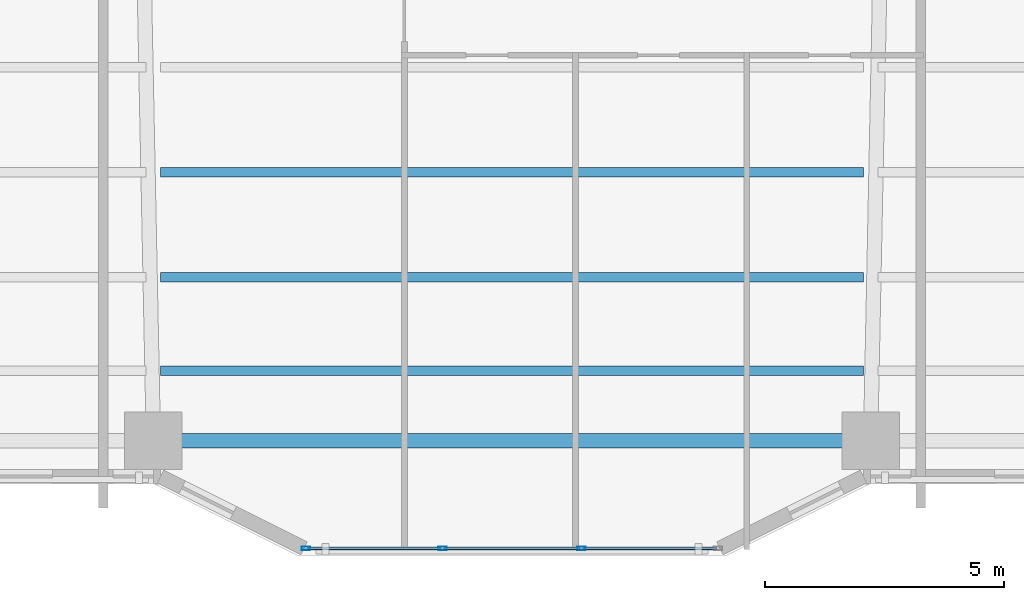
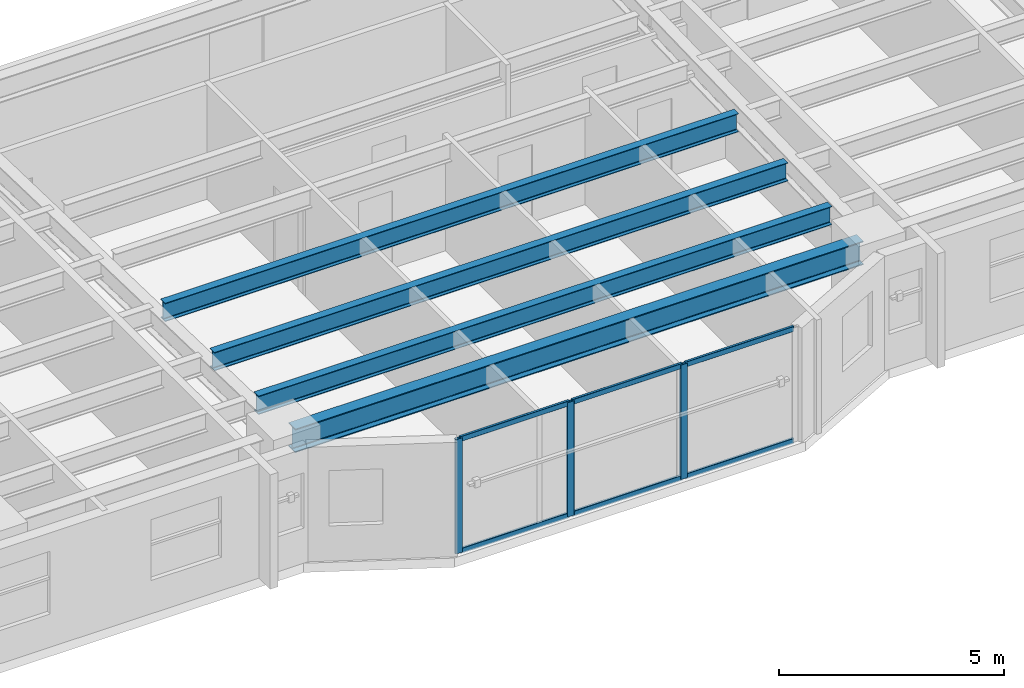
# One storey, part 2 of 19: 9 members, 4 beams, 1 element without a shape of its own.
"""IFC4 building model written with IfcOpenShell, lengths in metres."""

from ifc_helpers import new_model, si_unit, direction, frame, origin, origin_2d, place, context, subcontext, project, spatial, hollow_rectangle, i_section, extrude, material, layer, layer_set, material_profile, profile_set, type_object, element, aggregate, save


model = new_model("IFC4")

# Units and contexts
model_context = context("Model", 3, precision=1e-05, world=origin(), true_north=direction((0.0, 1.0)))
body_context = subcontext(model_context, "Body", "Model", "MODEL_VIEW")
ifc_project = project(units=[si_unit("LENGTHUNIT", "METRE"), si_unit("AREAUNIT", "SQUARE_METRE"), si_unit("VOLUMEUNIT", "CUBIC_METRE"), si_unit("PLANEANGLEUNIT", "RADIAN"), si_unit("MASSUNIT", "GRAM", prefix="KILO")], contexts=[model_context])

# Site, building, storey
site_placement = place(None, origin())
site = spatial("IfcSite", under=ifc_project, at=site_placement, CompositionType="ELEMENT")
building_placement = place(site_placement, origin())
building = spatial("IfcBuilding", under=site, at=building_placement, Name="Tarnavaz Court Tower", CompositionType="ELEMENT")
storey_placement = place(building_placement, frame((0.0, 0.0, 50.800048828125)))
storey = spatial("IfcBuildingStorey", under=building, at=storey_placement, Name="L13", CompositionType="ELEMENT", Elevation=50.800048828125)

# Beams
ifc_material_1 = material(Name="Steel S355", Category="steel")
ifc_material_profile_1 = material_profile(ifc_material_1, i_section(OverallWidth=0.199951171875, OverallDepth=0.5, WebThickness=0.01025390625, FlangeThickness=0.01611328125, FilletRadius=0.02099609375, at=origin_2d()), Name="IPE 500")
ifc_profile_set_1 = profile_set([ifc_material_profile_1], Name="Steel S355")
beam_type_1 = type_object("IfcBeamType", Name="BM-J-IPE500", PredefinedType="JOIST", material=ifc_profile_set_1)
for number, where, z_axis, x_axis, name in (
    (1, (-7.35009765625, -17.18798828125, 2.849853515625), (1.0, 0.0, 0.0), (0.0, 1.0, 0.0), "L13 Beam JS3-2"),
    (2, (-7.35009765625, -19.384033203125, 2.849853515625), (1.0, 0.0, 0.0), (0.0, 1.0, 0.0), "L13 Beam JS4-2"),
    (3, (-7.35009765625, -21.3359375, 2.849853515625), (1.0, 0.0, 0.0), (0.0, 1.0, 0.0), "L13 Beam JS5-2"),
):
    element("IfcBeam", number, at=place(storey_placement, frame(where, z_axis=z_axis, x_axis=x_axis)), inside=storey, type_object=beam_type_1, Name=name, PredefinedType="JOIST", context=body_context, shape_type="SweptSolid", body=[
        extrude(i_section(OverallWidth=0.199951171875, OverallDepth=0.5, WebThickness=0.01025390625, FlangeThickness=0.01611328125, FilletRadius=0.02099609375, at=origin_2d()), origin(), (0.0, 0.0, 1.0), 14.7001953125),
    ])
ifc_material_profile_2 = material_profile(ifc_material_1, i_section(OverallWidth=0.300048828125, OverallDepth=0.639892578125, WebThickness=0.013427734375, FlangeThickness=0.02587890625, FilletRadius=0.027099609375, at=origin_2d()), Name="HEA 650")
ifc_profile_set_2 = profile_set([ifc_material_profile_2], Name="Steel S355")
beam_type_2 = type_object("IfcBeamType", Name="BM-SP-HEA650", PredefinedType="SPANDREL", material=ifc_profile_set_2)
beam_placement = place(storey_placement, frame((-7.280029296875, -22.800048828125, 2.780029296875), z_axis=(1.0, 0.0, 0.0), x_axis=(0.0, 1.0, 0.0)))
element("IfcBeam", 4, at=beam_placement, inside=storey, type_object=beam_type_2, Name="L13 Beam PR-PS-2-PS-3", PredefinedType="SPANDREL", context=body_context, shape_type="SweptSolid", body=[
    extrude(i_section(OverallWidth=0.300048828125, OverallDepth=0.639892578125, WebThickness=0.013427734375, FlangeThickness=0.02587890625, FilletRadius=0.027099609375, at=origin_2d()), origin(), (0.0, 0.0, 1.0), 14.56005859375),
])

# Curtain wall, members
ifc_material_2 = material(Name="Anodised Aluminium 6063-T6 and Solar Low-E Glazing", Category="aluminium")
ifc_layer = layer(ifc_material_2, 0.179931640625)
ifc_layer_set = layer_set([ifc_layer], Name="Anodised Aluminium 6063-T6 and Solar Low-E Glazing")
curtain_wall_type = type_object("IfcCurtainWallType", Name="CW-SYS-02", PredefinedType="NOTDEFINED", material=ifc_layer_set)
curtain_wall_placement = place(storey_placement, origin())
curtain_wall = element("IfcCurtainWall", 5, at=curtain_wall_placement, inside=storey, type_object=curtain_wall_type, Name="L13 Iwan Prow Curtain Wall 17", PredefinedType="NOTDEFINED")
ifc_material_3 = material(Name="Anodised Aluminium 6063-T6", Category="aluminium")
ifc_material_profile_3 = material_profile(ifc_material_3, hollow_rectangle(XDim=0.074951171875, YDim=0.179931640625, WallThickness=0.0048828125, InnerFilletRadius=0.0048828125, OuterFilletRadius=0.010009765625, at=origin_2d()), Name="ALU RHS 180X75X5")
ifc_profile_set_3 = profile_set([ifc_material_profile_3], Name="Anodised Aluminium 6063-T6")
member_type_1 = type_object("IfcMemberType", Name="CW-MUL-180", PredefinedType="MULLION", material=ifc_profile_set_3)
member_1_placement = place(storey_placement, frame((1.449951171875, -25.050048828125, 0.0), z_axis=(0.0, 0.0, 1.0), x_axis=(0.0, -1.0, 0.0)))
member_1 = element("IfcMember", 6, at=member_1_placement, type_object=member_type_1, Name="CW mullion 2", PredefinedType="MULLION", context=body_context, shape_type="SweptSolid", body=[
    extrude(hollow_rectangle(XDim=0.074951171875, YDim=0.179931640625, WallThickness=0.0048828125, InnerFilletRadius=0.0048828125, OuterFilletRadius=0.010009765625, at=origin_2d()), origin(), (0.0, 0.0, 1.0), 3.099853515625),
])
member_2_placement = place(storey_placement, frame((-1.449951171875, -25.050048828125, 0.0), z_axis=(0.0, 0.0, 1.0), x_axis=(0.0, -1.0, 0.0)))
member_2 = element("IfcMember", 7, at=member_2_placement, type_object=member_type_1, Name="CW mullion 3", PredefinedType="MULLION", context=body_context, shape_type="SweptSolid", body=[
    extrude(hollow_rectangle(XDim=0.074951171875, YDim=0.179931640625, WallThickness=0.0048828125, InnerFilletRadius=0.0048828125, OuterFilletRadius=0.010009765625, at=origin_2d()), origin(), (0.0, 0.0, 1.0), 3.099853515625),
])
member_3_placement = place(storey_placement, frame((-4.3125, -25.050048828125, 0.0), z_axis=(0.0, 0.0, 1.0), x_axis=(0.0, -1.0, 0.0)))
member_3 = element("IfcMember", 8, at=member_3_placement, type_object=member_type_1, Name="CW mullion 4", PredefinedType="MULLION", context=body_context, shape_type="SweptSolid", body=[
    extrude(hollow_rectangle(XDim=0.074951171875, YDim=0.179931640625, WallThickness=0.0048828125, InnerFilletRadius=0.0048828125, OuterFilletRadius=0.010009765625, at=origin_2d()), origin(), (0.0, 0.0, 1.0), 3.099853515625),
])
ifc_material_profile_4 = material_profile(ifc_material_3, hollow_rectangle(XDim=0.06494140625, YDim=0.139892578125, WallThickness=0.00390625, InnerFilletRadius=0.00390625, OuterFilletRadius=0.008056640625, at=origin_2d()), Name="ALU RHS 140X65X4")
ifc_profile_set_4 = profile_set([ifc_material_profile_4], Name="Anodised Aluminium 6063-T6")
member_type_2 = type_object("IfcMemberType", Name="CW-TRN-140", PredefinedType="USERDEFINED", material=ifc_profile_set_4)
member_4_placement = place(storey_placement, frame((4.27490234375, -25.050048828125, 0.032470703125), z_axis=(-1.0, 0.0, 0.0), x_axis=(0.0, -1.0, 0.0)))
member_4 = element("IfcMember", 9, at=member_4_placement, type_object=member_type_2, Name="CW transom 1.1", ObjectType="TRANSOM", PredefinedType="USERDEFINED", context=body_context, shape_type="SweptSolid", body=[
    extrude(hollow_rectangle(XDim=0.06494140625, YDim=0.139892578125, WallThickness=0.00390625, InnerFilletRadius=0.00390625, OuterFilletRadius=0.008056640625, at=origin_2d()), origin(), (0.0, 0.0, 1.0), 2.787353515625),
])
member_5_placement = place(storey_placement, frame((4.27490234375, -25.050048828125, 3.0673828125), z_axis=(-1.0, 0.0, 0.0), x_axis=(0.0, -1.0, 0.0)))
member_5 = element("IfcMember", 10, at=member_5_placement, type_object=member_type_2, Name="CW transom 1.2", ObjectType="TRANSOM", PredefinedType="USERDEFINED", context=body_context, shape_type="SweptSolid", body=[
    extrude(hollow_rectangle(XDim=0.06494140625, YDim=0.139892578125, WallThickness=0.00390625, InnerFilletRadius=0.00390625, OuterFilletRadius=0.008056640625, at=origin_2d()), origin(), (0.0, 0.0, 1.0), 2.787353515625),
])
member_6_placement = place(storey_placement, frame((1.41259765625, -25.050048828125, 0.032470703125), z_axis=(-1.0, 0.0, 0.0), x_axis=(0.0, -1.0, 0.0)))
member_6 = element("IfcMember", 11, at=member_6_placement, type_object=member_type_2, Name="CW transom 2.1", ObjectType="TRANSOM", PredefinedType="USERDEFINED", context=body_context, shape_type="SweptSolid", body=[
    extrude(hollow_rectangle(XDim=0.06494140625, YDim=0.139892578125, WallThickness=0.00390625, InnerFilletRadius=0.00390625, OuterFilletRadius=0.008056640625, at=origin_2d()), origin(), (0.0, 0.0, 1.0), 2.8251953125),
])
member_7_placement = place(storey_placement, frame((1.41259765625, -25.050048828125, 3.0673828125), z_axis=(-1.0, 0.0, 0.0), x_axis=(0.0, -1.0, 0.0)))
member_7 = element("IfcMember", 12, at=member_7_placement, type_object=member_type_2, Name="CW transom 2.2", ObjectType="TRANSOM", PredefinedType="USERDEFINED", context=body_context, shape_type="SweptSolid", body=[
    extrude(hollow_rectangle(XDim=0.06494140625, YDim=0.139892578125, WallThickness=0.00390625, InnerFilletRadius=0.00390625, OuterFilletRadius=0.008056640625, at=origin_2d()), origin(), (0.0, 0.0, 1.0), 2.8251953125),
])
member_8_placement = place(storey_placement, frame((-1.487548828125, -25.050048828125, 0.032470703125), z_axis=(-1.0, 0.0, 0.0), x_axis=(0.0, -1.0, 0.0)))
member_8 = element("IfcMember", 13, at=member_8_placement, type_object=member_type_2, Name="CW transom 3.1", ObjectType="TRANSOM", PredefinedType="USERDEFINED", context=body_context, shape_type="SweptSolid", body=[
    extrude(hollow_rectangle(XDim=0.06494140625, YDim=0.139892578125, WallThickness=0.00390625, InnerFilletRadius=0.00390625, OuterFilletRadius=0.008056640625, at=origin_2d()), origin(), (0.0, 0.0, 1.0), 2.787353515625),
])
member_9_placement = place(storey_placement, frame((-1.487548828125, -25.050048828125, 3.0673828125), z_axis=(-1.0, 0.0, 0.0), x_axis=(0.0, -1.0, 0.0)))
member_9 = element("IfcMember", 14, at=member_9_placement, type_object=member_type_2, Name="CW transom 3.2", ObjectType="TRANSOM", PredefinedType="USERDEFINED", context=body_context, shape_type="SweptSolid", body=[
    extrude(hollow_rectangle(XDim=0.06494140625, YDim=0.139892578125, WallThickness=0.00390625, InnerFilletRadius=0.00390625, OuterFilletRadius=0.008056640625, at=origin_2d()), origin(), (0.0, 0.0, 1.0), 2.787353515625),
])
aggregate(curtain_wall, [member_1, member_2, member_3, member_4, member_5, member_6, member_7, member_8, member_9])

save(model, "model.ifc")
